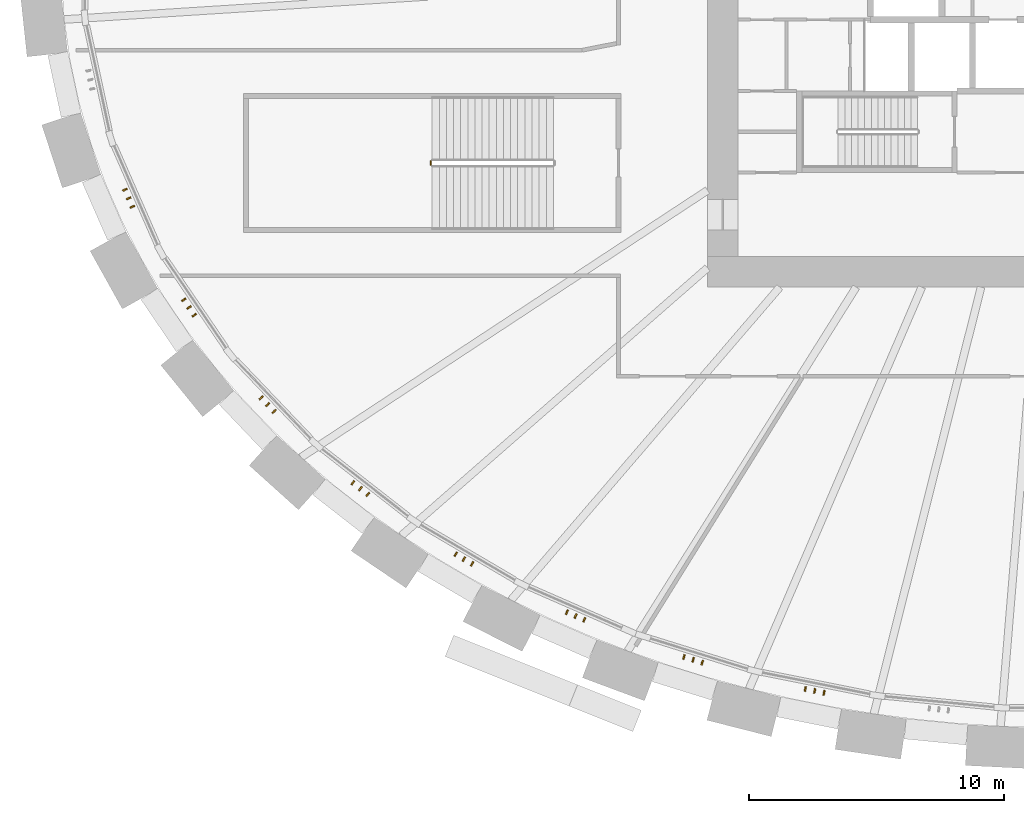
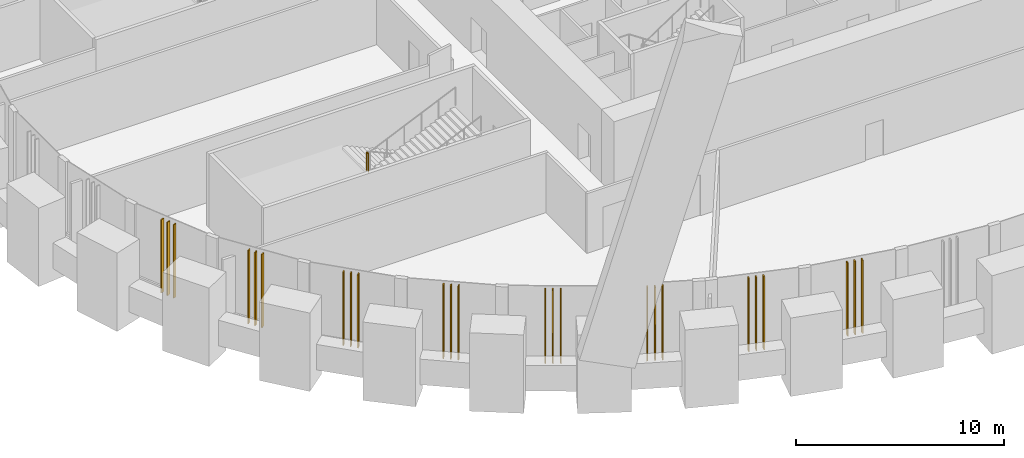
# One storey, part 11 of 21: 24 shading devices, 1 railing.
"""IFC4 building model written with IfcOpenShell, lengths in metres."""

from ifc_helpers import new_model, si_unit, direction, frame, origin, origin_2d, place, context, subcontext, project, spatial, rectangle, circle, extrude, source, transform, mapped, material, material_profile, profile_set, type_object, element, save


model = new_model("IFC4")

# Units and contexts
model_context = context("Model", 3, precision=1e-05, world=origin(), true_north=direction((0.0, 1.0)))
body_context = subcontext(model_context, "Body", "Model", "MODEL_VIEW")
ifc_project = project(units=[si_unit("LENGTHUNIT", "METRE"), si_unit("AREAUNIT", "SQUARE_METRE"), si_unit("VOLUMEUNIT", "CUBIC_METRE"), si_unit("PLANEANGLEUNIT", "RADIAN"), si_unit("MASSUNIT", "GRAM", prefix="KILO")], contexts=[model_context])

# Site, building, storey
site_placement = place(None, origin())
site = spatial("IfcSite", under=ifc_project, at=site_placement, CompositionType="ELEMENT")
building_placement = place(site_placement, origin())
building = spatial("IfcBuilding", under=site, at=building_placement, Name="Embergate Tower", CompositionType="ELEMENT")
storey_placement = place(building_placement, frame((0.0, 0.0, 33.5)))
storey = spatial("IfcBuildingStorey", under=building, at=storey_placement, Name="L04", CompositionType="ELEMENT", Elevation=33.5)

# Shading devices
ifc_material_1 = material(Name="Terracotta, extruded and glazed", Category="masonry")
ifc_material_profile = material_profile(ifc_material_1, rectangle(XDim=0.18994140625, YDim=0.06005859375, at=origin_2d()), Name="TC 190x60")
ifc_profile_set = profile_set([ifc_material_profile], Name="Terracotta, extruded and glazed")
shading_device_type = type_object("IfcShadingDeviceType", Name="Terracotta fin", PredefinedType="USERDEFINED", material=ifc_profile_set)
shared_shape_1 = source(origin(), body_context, "Body", "SweptSolid", [
    extrude(rectangle(XDim=0.18994140625, YDim=0.06005859375, at=origin_2d()), origin(), (0.0, 0.0, 1.0), 4.300048828125),
])
for number, where, z_axis, x_axis, name in (
    (1, (-36.869873046875, -9.177978515625, 0.0), (0.0, 0.0, 1.0), (0.915790926844, 0.401655297873, 0.0), "Fin 24.1"),
    (2, (-36.723388671875, -9.51171875, 0.0), (0.0, 0.0, 1.0), (0.915790926844, 0.401655297873, 0.0), "Fin 24.2"),
    (3, (-36.5771484375, -9.845458984375, 0.0), (0.0, 0.0, 1.0), (0.915790926844, 0.401655297873, 0.0), "Fin 24.3"),
    (4, (-34.55859375, -13.493896484375, 0.0), (0.0, 0.0, 1.0), (0.826901986809, 0.562346071572, 0.0), "Fin 25.1"),
    (5, (-34.352294921875, -13.797119140625, 0.0), (0.0, 0.0, 1.0), (0.826901986809, 0.562346071572, 0.0), "Fin 25.2"),
    (6, (-34.146240234375, -14.1005859375, 0.0), (0.0, 0.0, 1.0), (0.826901986809, 0.562346071572, 0.0), "Fin 25.3"),
    (7, (-31.5244140625, -17.345703125, 0.0), (0.0, 0.0, 1.0), (0.723678194673, 0.690137573644, 0.0), "Fin 26.1"),
    (8, (-31.269775390625, -17.61279296875, 0.0), (0.0, 0.0, 1.0), (0.723678194673, 0.690137573644, 0.0), "Fin 26.2"),
    (9, (-31.01513671875, -17.8798828125, 0.0), (0.0, 0.0, 1.0), (0.723678194673, 0.690137573644, 0.0), "Fin 26.3"),
    (10, (-27.92138671875, -20.681396484375, 0.0), (0.0, 0.0, 1.0), (0.615262548398, 0.788322266931, 0.0), "Fin 27.1"),
    (11, (-27.62890625, -20.909912109375, 0.0), (0.0, 0.0, 1.0), (0.615262548398, 0.788322266931, 0.0), "Fin 27.2"),
    (12, (-27.33642578125, -21.13818359375, 0.0), (0.0, 0.0, 1.0), (0.615262548398, 0.788322266931, 0.0), "Fin 27.3"),
    (13, (-23.8837890625, -23.4853515625, 0.0), (0.0, 0.0, 1.0), (0.506814843614, 0.862054936934, 0.0), "Fin 28.1"),
    (14, (-23.5625, -23.67431640625, 0.0), (0.0, 0.0, 1.0), (0.506814843614, 0.862054936934, 0.0), "Fin 28.2"),
    (15, (-23.2412109375, -23.863037109375, 0.0), (0.0, 0.0, 1.0), (0.506814843614, 0.862054936934, 0.0), "Fin 28.3"),
    (16, (-19.52197265625, -25.760986328125, 0.0), (0.0, 0.0, 1.0), (0.400636896638, 0.916236910986, 0.0), "Fin 29.1"),
    (17, (-19.179443359375, -25.910888671875, 0.0), (0.0, 0.0, 1.0), (0.400636896638, 0.916236910986, 0.0), "Fin 29.2"),
    (18, (-18.8369140625, -26.060546875, 0.0), (0.0, 0.0, 1.0), (0.400636896638, 0.916236910986, 0.0), "Fin 29.3"),
    (19, (-14.92431640625, -27.52001953125, 0.0), (0.0, 0.0, 1.0), (0.297336547283, 0.954772736126, 0.0), "Fin 30.1"),
    (20, (-14.56640625, -27.631591796875, 0.0), (0.0, 0.0, 1.0), (0.297336547283, 0.954772736126, 0.0), "Fin 30.2"),
    (21, (-14.20849609375, -27.742919921875, 0.0), (0.0, 0.0, 1.0), (0.297336547283, 0.954772736126, 0.0), "Fin 30.3"),
    (22, (-10.162109375, -28.77587890625, 0.0), (0.0, 0.0, 1.0), (0.196637539636, 0.980476250608, 0.0), "Fin 31.1"),
    (23, (-9.7939453125, -28.849609375, 0.0), (0.0, 0.0, 1.0), (0.196637539636, 0.980476250608, 0.0), "Fin 31.2"),
    (24, (-9.42578125, -28.923583984375, 0.0), (0.0, 0.0, 1.0), (0.196637539636, 0.980476250608, 0.0), "Fin 31.3"),
):
    element("IfcShadingDevice", number, at=place(storey_placement, frame(where, z_axis=z_axis, x_axis=x_axis)), inside=storey, type_object=shading_device_type, Name=name, ObjectType="FIN", PredefinedType="USERDEFINED", context=body_context, shape_type="MappedRepresentation", body=[
        mapped(shared_shape_1, transform((0.0, 0.0, 0.0))),
    ])

# Railing
ifc_material_2 = material(Name="Steel", Category="steel")
railing_type = type_object("IfcRailingType", Name="Podium stair guard 1100", PredefinedType="GUARDRAIL", material=ifc_material_2)
shared_shape_2 = source(origin(), body_context, "Body", "SweptSolid", [
    extrude(circle(Radius=0.02392578125, at=origin_2d()), frame((0.0, 0.0, 1.076171875), z_axis=(0.0, -1.0, 0.0), x_axis=(1.0, 0.0, 0.0)), (0.0, 0.0, 1.0), 0.14990234375),
    extrude(circle(Radius=0.02099609375, at=origin_2d()), origin(), (0.0, 0.0, 1.0), 1.052001953125),
    extrude(circle(Radius=0.02099609375, at=origin_2d()), frame((0.0, -0.14990234375, 0.0)), (0.0, 0.0, 1.0), 1.052001953125),
])
railing_placement = place(storey_placement, frame((-24.860107421875, -8.050048828125, 2.25)))
element("IfcRailing", 25, at=railing_placement, inside=storey, type_object=railing_type, Name="L04 P4 stair guard 2", PredefinedType="GUARDRAIL", context=body_context, shape_type="MappedRepresentation", body=[
    mapped(shared_shape_2, transform((0.0, 0.0, 0.0))),
])

save(model, "model.ifc")
